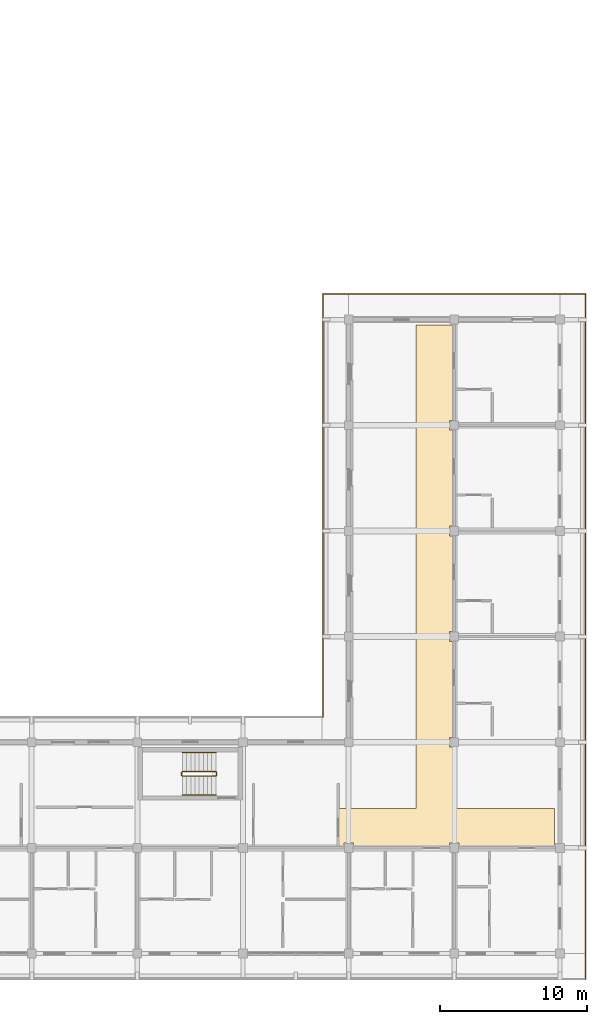
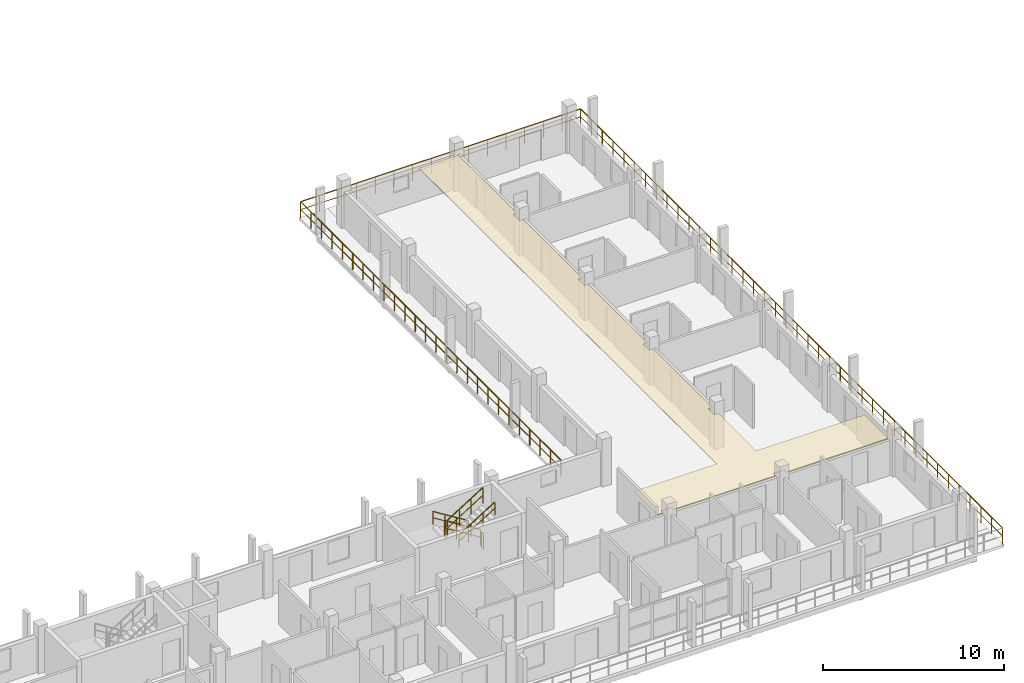
# One storey, part 72 of 76: 9 railings, 1 covering.
"""IFC4 building model written with IfcOpenShell, lengths in metres."""

from ifc_helpers import new_model, si_unit, direction, frame, origin, origin_2d, place, context, subcontext, project, spatial, polyline, rectangle, outline, extrude, material, layer, layer_set, type_object, element, save


model = new_model("IFC4")

# Units and contexts
model_context = context("Model", 3, precision=1e-05, world=origin(), true_north=direction((0.0, 1.0)))
body_context = subcontext(model_context, "Body", "Model", "MODEL_VIEW")
ifc_project = project(units=[si_unit("LENGTHUNIT", "METRE"), si_unit("AREAUNIT", "SQUARE_METRE"), si_unit("VOLUMEUNIT", "CUBIC_METRE"), si_unit("PLANEANGLEUNIT", "RADIAN"), si_unit("MASSUNIT", "GRAM", prefix="KILO")], contexts=[model_context])

# Site, building, storey
site_placement = place(None, origin())
site = spatial("IfcSite", under=ifc_project, at=site_placement, CompositionType="ELEMENT")
building_placement = place(site_placement, origin())
building = spatial("IfcBuilding", under=site, at=building_placement, Name="Suanplinth Sawtooth Commons", CompositionType="ELEMENT")
storey_placement = place(building_placement, frame((0.0, 0.0, 12.199951171875)))
storey = spatial("IfcBuildingStorey", under=building, at=storey_placement, Name="L03", CompositionType="ELEMENT", Elevation=12.199951171875)

# Covering
ifc_material_1 = material(Name="Mineral fibre acoustic tile")
ifc_layer = layer(ifc_material_1, 0.0400390625, Name="Perforated mineral-fibre acoustic suspended ceiling")
ifc_layer_set = layer_set([ifc_layer], Name="Mineral fibre acoustic tile")
covering_type = type_object("IfcCoveringType", Name="CV-CE01", PredefinedType="CEILING", material=ifc_layer_set)
covering_placement = place(storey_placement, frame((0.0, 0.0, 2.380126953125)))
element("IfcCovering", 1, at=covering_placement, inside=storey, type_object=covering_type, Name="L03 Block C Corridor Acoustic Ceiling", PredefinedType="CEILING", context=body_context, shape_type="SweptSolid", body=[
    extrude(outline(polyline([(172.1201171875, 9.89990234375), (177.39990234375, 9.89990234375), (177.39990234375, 42.840087890625), (179.919921875, 42.840087890625), (179.919921875, 36.330078125), (179.669921875, 36.330078125), (179.669921875, 35.669921875), (179.919921875, 35.669921875), (179.919921875, 29.1298828125), (179.669921875, 29.1298828125), (179.669921875, 28.469970703125), (179.919921875, 28.469970703125), (179.919921875, 21.929931640625), (179.669921875, 21.929931640625), (179.669921875, 21.27001953125), (179.919921875, 21.27001953125), (179.919921875, 14.72998046875), (179.669921875, 14.72998046875), (179.669921875, 14.070068359375), (179.919921875, 14.070068359375), (179.919921875, 9.89990234375), (186.840087890625, 9.89990234375), (186.840087890625, 7.280029296875), (180.330078125, 7.280029296875), (180.330078125, 7.530029296875), (179.669921875, 7.530029296875), (179.669921875, 7.280029296875), (173.1298828125, 7.280029296875), (173.1298828125, 7.530029296875), (172.469970703125, 7.530029296875), (172.469970703125, 7.280029296875), (172.1201171875, 7.280029296875), (172.1201171875, 9.89990234375)])), origin(), (0.0, 0.0, 1.0), 0.0400390625),
])

# Railings
ifc_material_2 = material(Name="Powder-coated galvanized steel", Category="steel")
railing_type_1 = type_object("IfcRailingType", Name="GR-01", PredefinedType="BALUSTRADE", material=ifc_material_2)
railing_1_placement = place(storey_placement, frame((171.06005859375, 16.139892578125, 0.0)))
element("IfcRailing", 2, at=railing_1_placement, inside=storey, type_object=railing_type_1, Name="L03 Block C Perimeter Balustrade 3", PredefinedType="BALUSTRADE", context=body_context, shape_type="SweptSolid", body=[
    extrude(rectangle(XDim=0.048095703125, YDim=0.048095703125, at=origin_2d()), frame((0.0, 0.0, 1.09619140625), z_axis=(0.0, 1.0, 0.0), x_axis=(-1.0, 0.0, 0.0)), (0.0, 0.0, 1.0), 28.800048828125),
    extrude(rectangle(XDim=0.03369140625, YDim=0.03369140625, at=origin_2d()), frame((0.0, 0.0, 0.56005859375), z_axis=(0.0, 1.0, 0.0), x_axis=(-1.0, 0.0, 0.0)), (0.0, 0.0, 1.0), 28.800048828125),
    extrude(rectangle(XDim=0.0419921875, YDim=0.0419921875, at=origin_2d()), origin(), (0.0, 0.0, 1.0), 1.072021484375),
    extrude(rectangle(XDim=0.0419921875, YDim=0.0419921875, at=origin_2d()), frame((0.0, 1.152099609375, 0.0)), (0.0, 0.0, 1.0), 1.072021484375),
    extrude(rectangle(XDim=0.0419921875, YDim=0.0419921875, at=origin_2d()), frame((0.0, 2.303955078125, 0.0)), (0.0, 0.0, 1.0), 1.072021484375),
    extrude(rectangle(XDim=0.0419921875, YDim=0.0419921875, at=origin_2d()), frame((0.0, 3.4560546875, 0.0)), (0.0, 0.0, 1.0), 1.072021484375),
    extrude(rectangle(XDim=0.0419921875, YDim=0.0419921875, at=origin_2d()), frame((0.0, 4.60791015625, 0.0)), (0.0, 0.0, 1.0), 1.072021484375),
    extrude(rectangle(XDim=0.0419921875, YDim=0.0419921875, at=origin_2d()), frame((0.0, 5.760009765625, 0.0)), (0.0, 0.0, 1.0), 1.072021484375),
    extrude(rectangle(XDim=0.0419921875, YDim=0.0419921875, at=origin_2d()), frame((0.0, 6.912109375, 0.0)), (0.0, 0.0, 1.0), 1.072021484375),
    extrude(rectangle(XDim=0.0419921875, YDim=0.0419921875, at=origin_2d()), frame((0.0, 8.06396484375, 0.0)), (0.0, 0.0, 1.0), 1.072021484375),
    extrude(rectangle(XDim=0.0419921875, YDim=0.0419921875, at=origin_2d()), frame((0.0, 9.216064453125, 0.0)), (0.0, 0.0, 1.0), 1.072021484375),
    extrude(rectangle(XDim=0.0419921875, YDim=0.0419921875, at=origin_2d()), frame((0.0, 10.367919921875, 0.0)), (0.0, 0.0, 1.0), 1.072021484375),
    extrude(rectangle(XDim=0.0419921875, YDim=0.0419921875, at=origin_2d()), frame((0.0, 11.52001953125, 0.0)), (0.0, 0.0, 1.0), 1.072021484375),
    extrude(rectangle(XDim=0.0419921875, YDim=0.0419921875, at=origin_2d()), frame((0.0, 12.672119140625, 0.0)), (0.0, 0.0, 1.0), 1.072021484375),
    extrude(rectangle(XDim=0.0419921875, YDim=0.0419921875, at=origin_2d()), frame((0.0, 13.823974609375, 0.0)), (0.0, 0.0, 1.0), 1.072021484375),
    extrude(rectangle(XDim=0.0419921875, YDim=0.0419921875, at=origin_2d()), frame((0.0, 14.97607421875, 0.0)), (0.0, 0.0, 1.0), 1.072021484375),
    extrude(rectangle(XDim=0.0419921875, YDim=0.0419921875, at=origin_2d()), frame((0.0, 16.1279296875, 0.0)), (0.0, 0.0, 1.0), 1.072021484375),
    extrude(rectangle(XDim=0.0419921875, YDim=0.0419921875, at=origin_2d()), frame((0.0, 17.280029296875, 0.0)), (0.0, 0.0, 1.0), 1.072021484375),
    extrude(rectangle(XDim=0.0419921875, YDim=0.0419921875, at=origin_2d()), frame((0.0, 18.43212890625, 0.0)), (0.0, 0.0, 1.0), 1.072021484375),
    extrude(rectangle(XDim=0.0419921875, YDim=0.0419921875, at=origin_2d()), frame((0.0, 19.583984375, 0.0)), (0.0, 0.0, 1.0), 1.072021484375),
    extrude(rectangle(XDim=0.0419921875, YDim=0.0419921875, at=origin_2d()), frame((0.0, 20.736083984375, 0.0)), (0.0, 0.0, 1.0), 1.072021484375),
    extrude(rectangle(XDim=0.0419921875, YDim=0.0419921875, at=origin_2d()), frame((0.0, 21.887939453125, 0.0)), (0.0, 0.0, 1.0), 1.072021484375),
    extrude(rectangle(XDim=0.0419921875, YDim=0.0419921875, at=origin_2d()), frame((0.0, 23.0400390625, 0.0)), (0.0, 0.0, 1.0), 1.072021484375),
    extrude(rectangle(XDim=0.0419921875, YDim=0.0419921875, at=origin_2d()), frame((0.0, 24.192138671875, 0.0)), (0.0, 0.0, 1.0), 1.072021484375),
    extrude(rectangle(XDim=0.0419921875, YDim=0.0419921875, at=origin_2d()), frame((0.0, 25.343994140625, 0.0)), (0.0, 0.0, 1.0), 1.072021484375),
    extrude(rectangle(XDim=0.0419921875, YDim=0.0419921875, at=origin_2d()), frame((0.0, 26.49609375, 0.0)), (0.0, 0.0, 1.0), 1.072021484375),
    extrude(rectangle(XDim=0.0419921875, YDim=0.0419921875, at=origin_2d()), frame((0.0, 27.64794921875, 0.0)), (0.0, 0.0, 1.0), 1.072021484375),
    extrude(rectangle(XDim=0.0419921875, YDim=0.0419921875, at=origin_2d()), frame((0.0, 28.800048828125, 0.0)), (0.0, 0.0, 1.0), 1.072021484375),
])
railing_2_placement = place(storey_placement, frame((171.06005859375, 44.93994140625, 0.0)))
element("IfcRailing", 3, at=railing_2_placement, inside=storey, type_object=railing_type_1, Name="L03 Block C Perimeter Balustrade 4", PredefinedType="BALUSTRADE", context=body_context, shape_type="SweptSolid", body=[
    extrude(rectangle(XDim=0.048095703125, YDim=0.048095703125, at=origin_2d()), frame((0.0, 0.0, 1.09619140625), z_axis=(1.0, 0.0, 0.0), x_axis=(0.0, 1.0, 0.0)), (0.0, 0.0, 1.0), 17.8798828125),
    extrude(rectangle(XDim=0.03369140625, YDim=0.03369140625, at=origin_2d()), frame((0.0, 0.0, 0.56005859375), z_axis=(1.0, 0.0, 0.0), x_axis=(0.0, 1.0, 0.0)), (0.0, 0.0, 1.0), 17.8798828125),
    extrude(rectangle(XDim=0.0419921875, YDim=0.0419921875, at=origin_2d()), origin(), (0.0, 0.0, 1.0), 1.072021484375),
    extrude(rectangle(XDim=0.0419921875, YDim=0.0419921875, at=origin_2d()), frame((1.19189453125, 0.0, 0.0)), (0.0, 0.0, 1.0), 1.072021484375),
    extrude(rectangle(XDim=0.0419921875, YDim=0.0419921875, at=origin_2d()), frame((2.384033203125, 0.0, 0.0)), (0.0, 0.0, 1.0), 1.072021484375),
    extrude(rectangle(XDim=0.0419921875, YDim=0.0419921875, at=origin_2d()), frame((3.575927734375, 0.0, 0.0)), (0.0, 0.0, 1.0), 1.072021484375),
    extrude(rectangle(XDim=0.0419921875, YDim=0.0419921875, at=origin_2d()), frame((4.76806640625, 0.0, 0.0)), (0.0, 0.0, 1.0), 1.072021484375),
    extrude(rectangle(XDim=0.0419921875, YDim=0.0419921875, at=origin_2d()), frame((5.9599609375, 0.0, 0.0)), (0.0, 0.0, 1.0), 1.072021484375),
    extrude(rectangle(XDim=0.0419921875, YDim=0.0419921875, at=origin_2d()), frame((7.15185546875, 0.0, 0.0)), (0.0, 0.0, 1.0), 1.072021484375),
    extrude(rectangle(XDim=0.0419921875, YDim=0.0419921875, at=origin_2d()), frame((8.343994140625, 0.0, 0.0)), (0.0, 0.0, 1.0), 1.072021484375),
    extrude(rectangle(XDim=0.0419921875, YDim=0.0419921875, at=origin_2d()), frame((9.535888671875, 0.0, 0.0)), (0.0, 0.0, 1.0), 1.072021484375),
    extrude(rectangle(XDim=0.0419921875, YDim=0.0419921875, at=origin_2d()), frame((10.72802734375, 0.0, 0.0)), (0.0, 0.0, 1.0), 1.072021484375),
    extrude(rectangle(XDim=0.0419921875, YDim=0.0419921875, at=origin_2d()), frame((11.919921875, 0.0, 0.0)), (0.0, 0.0, 1.0), 1.072021484375),
    extrude(rectangle(XDim=0.0419921875, YDim=0.0419921875, at=origin_2d()), frame((13.11181640625, 0.0, 0.0)), (0.0, 0.0, 1.0), 1.072021484375),
    extrude(rectangle(XDim=0.0419921875, YDim=0.0419921875, at=origin_2d()), frame((14.303955078125, 0.0, 0.0)), (0.0, 0.0, 1.0), 1.072021484375),
    extrude(rectangle(XDim=0.0419921875, YDim=0.0419921875, at=origin_2d()), frame((15.495849609375, 0.0, 0.0)), (0.0, 0.0, 1.0), 1.072021484375),
    extrude(rectangle(XDim=0.0419921875, YDim=0.0419921875, at=origin_2d()), frame((16.68798828125, 0.0, 0.0)), (0.0, 0.0, 1.0), 1.072021484375),
    extrude(rectangle(XDim=0.0419921875, YDim=0.0419921875, at=origin_2d()), frame((17.8798828125, 0.0, 0.0)), (0.0, 0.0, 1.0), 1.072021484375),
])
railing_3_placement = place(storey_placement, frame((188.93994140625, 44.93994140625, 0.0)))
element("IfcRailing", 4, at=railing_3_placement, inside=storey, type_object=railing_type_1, Name="L03 Block C Perimeter Balustrade 5", PredefinedType="BALUSTRADE", context=body_context, shape_type="SweptSolid", body=[
    extrude(rectangle(XDim=0.048095703125, YDim=0.048095703125, at=origin_2d()), frame((0.0, 0.0, 1.09619140625), z_axis=(0.0, -1.0, 0.0), x_axis=(1.0, 0.0, 0.0)), (0.0, 0.0, 1.0), 46.679931640625),
    extrude(rectangle(XDim=0.03369140625, YDim=0.03369140625, at=origin_2d()), frame((0.0, 0.0, 0.56005859375), z_axis=(0.0, -1.0, 0.0), x_axis=(1.0, 0.0, 0.0)), (0.0, 0.0, 1.0), 46.679931640625),
    extrude(rectangle(XDim=0.0419921875, YDim=0.0419921875, at=origin_2d()), origin(), (0.0, 0.0, 1.0), 1.072021484375),
    extrude(rectangle(XDim=0.0419921875, YDim=0.0419921875, at=origin_2d()), frame((0.0, -1.197021484375, 0.0)), (0.0, 0.0, 1.0), 1.072021484375),
    extrude(rectangle(XDim=0.0419921875, YDim=0.0419921875, at=origin_2d()), frame((0.0, -2.393798828125, 0.0)), (0.0, 0.0, 1.0), 1.072021484375),
    extrude(rectangle(XDim=0.0419921875, YDim=0.0419921875, at=origin_2d()), frame((0.0, -3.5908203125, 0.0)), (0.0, 0.0, 1.0), 1.072021484375),
    extrude(rectangle(XDim=0.0419921875, YDim=0.0419921875, at=origin_2d()), frame((0.0, -4.78759765625, 0.0)), (0.0, 0.0, 1.0), 1.072021484375),
    extrude(rectangle(XDim=0.0419921875, YDim=0.0419921875, at=origin_2d()), frame((0.0, -5.984619140625, 0.0)), (0.0, 0.0, 1.0), 1.072021484375),
    extrude(rectangle(XDim=0.0419921875, YDim=0.0419921875, at=origin_2d()), frame((0.0, -7.181640625, 0.0)), (0.0, 0.0, 1.0), 1.072021484375),
    extrude(rectangle(XDim=0.0419921875, YDim=0.0419921875, at=origin_2d()), frame((0.0, -8.37841796875, 0.0)), (0.0, 0.0, 1.0), 1.072021484375),
    extrude(rectangle(XDim=0.0419921875, YDim=0.0419921875, at=origin_2d()), frame((0.0, -9.575439453125, 0.0)), (0.0, 0.0, 1.0), 1.072021484375),
    extrude(rectangle(XDim=0.0419921875, YDim=0.0419921875, at=origin_2d()), frame((0.0, -10.772216796875, 0.0)), (0.0, 0.0, 1.0), 1.072021484375),
    extrude(rectangle(XDim=0.0419921875, YDim=0.0419921875, at=origin_2d()), frame((0.0, -11.96923828125, 0.0)), (0.0, 0.0, 1.0), 1.072021484375),
    extrude(rectangle(XDim=0.0419921875, YDim=0.0419921875, at=origin_2d()), frame((0.0, -13.166015625, 0.0)), (0.0, 0.0, 1.0), 1.072021484375),
    extrude(rectangle(XDim=0.0419921875, YDim=0.0419921875, at=origin_2d()), frame((0.0, -14.363037109375, 0.0)), (0.0, 0.0, 1.0), 1.072021484375),
    extrude(rectangle(XDim=0.0419921875, YDim=0.0419921875, at=origin_2d()), frame((0.0, -15.56005859375, 0.0)), (0.0, 0.0, 1.0), 1.072021484375),
    extrude(rectangle(XDim=0.0419921875, YDim=0.0419921875, at=origin_2d()), frame((0.0, -16.7568359375, 0.0)), (0.0, 0.0, 1.0), 1.072021484375),
    extrude(rectangle(XDim=0.0419921875, YDim=0.0419921875, at=origin_2d()), frame((0.0, -17.953857421875, 0.0)), (0.0, 0.0, 1.0), 1.072021484375),
    extrude(rectangle(XDim=0.0419921875, YDim=0.0419921875, at=origin_2d()), frame((0.0, -19.150634765625, 0.0)), (0.0, 0.0, 1.0), 1.072021484375),
    extrude(rectangle(XDim=0.0419921875, YDim=0.0419921875, at=origin_2d()), frame((0.0, -20.34765625, 0.0)), (0.0, 0.0, 1.0), 1.072021484375),
    extrude(rectangle(XDim=0.0419921875, YDim=0.0419921875, at=origin_2d()), frame((0.0, -21.544677734375, 0.0)), (0.0, 0.0, 1.0), 1.072021484375),
    extrude(rectangle(XDim=0.0419921875, YDim=0.0419921875, at=origin_2d()), frame((0.0, -22.741455078125, 0.0)), (0.0, 0.0, 1.0), 1.072021484375),
    extrude(rectangle(XDim=0.0419921875, YDim=0.0419921875, at=origin_2d()), frame((0.0, -23.9384765625, 0.0)), (0.0, 0.0, 1.0), 1.072021484375),
    extrude(rectangle(XDim=0.0419921875, YDim=0.0419921875, at=origin_2d()), frame((0.0, -25.13525390625, 0.0)), (0.0, 0.0, 1.0), 1.072021484375),
    extrude(rectangle(XDim=0.0419921875, YDim=0.0419921875, at=origin_2d()), frame((0.0, -26.332275390625, 0.0)), (0.0, 0.0, 1.0), 1.072021484375),
    extrude(rectangle(XDim=0.0419921875, YDim=0.0419921875, at=origin_2d()), frame((0.0, -27.529296875, 0.0)), (0.0, 0.0, 1.0), 1.072021484375),
    extrude(rectangle(XDim=0.0419921875, YDim=0.0419921875, at=origin_2d()), frame((0.0, -28.72607421875, 0.0)), (0.0, 0.0, 1.0), 1.072021484375),
    extrude(rectangle(XDim=0.0419921875, YDim=0.0419921875, at=origin_2d()), frame((0.0, -29.923095703125, 0.0)), (0.0, 0.0, 1.0), 1.072021484375),
    extrude(rectangle(XDim=0.0419921875, YDim=0.0419921875, at=origin_2d()), frame((0.0, -31.119873046875, 0.0)), (0.0, 0.0, 1.0), 1.072021484375),
    extrude(rectangle(XDim=0.0419921875, YDim=0.0419921875, at=origin_2d()), frame((0.0, -32.31689453125, 0.0)), (0.0, 0.0, 1.0), 1.072021484375),
    extrude(rectangle(XDim=0.0419921875, YDim=0.0419921875, at=origin_2d()), frame((0.0, -33.513916015625, 0.0)), (0.0, 0.0, 1.0), 1.072021484375),
    extrude(rectangle(XDim=0.0419921875, YDim=0.0419921875, at=origin_2d()), frame((0.0, -34.710693359375, 0.0)), (0.0, 0.0, 1.0), 1.072021484375),
    extrude(rectangle(XDim=0.0419921875, YDim=0.0419921875, at=origin_2d()), frame((0.0, -35.90771484375, 0.0)), (0.0, 0.0, 1.0), 1.072021484375),
    extrude(rectangle(XDim=0.0419921875, YDim=0.0419921875, at=origin_2d()), frame((0.0, -37.1044921875, 0.0)), (0.0, 0.0, 1.0), 1.072021484375),
    extrude(rectangle(XDim=0.0419921875, YDim=0.0419921875, at=origin_2d()), frame((0.0, -38.301513671875, 0.0)), (0.0, 0.0, 1.0), 1.072021484375),
    extrude(rectangle(XDim=0.0419921875, YDim=0.0419921875, at=origin_2d()), frame((0.0, -39.498291015625, 0.0)), (0.0, 0.0, 1.0), 1.072021484375),
    extrude(rectangle(XDim=0.0419921875, YDim=0.0419921875, at=origin_2d()), frame((0.0, -40.6953125, 0.0)), (0.0, 0.0, 1.0), 1.072021484375),
    extrude(rectangle(XDim=0.0419921875, YDim=0.0419921875, at=origin_2d()), frame((0.0, -41.892333984375, 0.0)), (0.0, 0.0, 1.0), 1.072021484375),
    extrude(rectangle(XDim=0.0419921875, YDim=0.0419921875, at=origin_2d()), frame((0.0, -43.089111328125, 0.0)), (0.0, 0.0, 1.0), 1.072021484375),
    extrude(rectangle(XDim=0.0419921875, YDim=0.0419921875, at=origin_2d()), frame((0.0, -44.2861328125, 0.0)), (0.0, 0.0, 1.0), 1.072021484375),
    extrude(rectangle(XDim=0.0419921875, YDim=0.0419921875, at=origin_2d()), frame((0.0, -45.48291015625, 0.0)), (0.0, 0.0, 1.0), 1.072021484375),
    extrude(rectangle(XDim=0.0419921875, YDim=0.0419921875, at=origin_2d()), frame((0.0, -46.679931640625, 0.0)), (0.0, 0.0, 1.0), 1.072021484375),
])
ifc_material_3 = material(Name="Stainless steel Grade 304", Category="steel")
railing_type_2 = type_object("IfcRailingType", Name="GR-04", PredefinedType="GUARDRAIL", material=ifc_material_3)
railing_4_placement = place(storey_placement, frame((163.75, 12.39990234375, 0.177734375)))
element("IfcRailing", 5, at=railing_4_placement, inside=storey, type_object=railing_type_2, Name="L03 ST-S2 Guard 1", PredefinedType="GUARDRAIL", context=body_context, shape_type="SweptSolid", body=[
    extrude(rectangle(XDim=0.048095703125, YDim=0.048095703125, at=origin_2d()), frame((0.0, 0.0, 1.076171875), z_axis=(-0.848442045328, 0.0, 0.529288291689), x_axis=(0.0, -1.0, 0.0)), (0.0, 0.0, 1.0), 2.687255859375),
    extrude(rectangle(XDim=0.03369140625, YDim=0.03369140625, at=origin_2d()), frame((0.0, 0.0, 0.550048828125), z_axis=(-0.848442045328, 0.0, 0.529288291689), x_axis=(0.0, -1.0, 0.0)), (0.0, 0.0, 1.0), 2.687255859375),
    extrude(rectangle(XDim=0.0419921875, YDim=0.0419921875, at=origin_2d()), origin(), (0.0, 0.0, 1.0), 1.052001953125),
    extrude(rectangle(XDim=0.0419921875, YDim=0.0419921875, at=origin_2d()), frame((-0.760009765625, 0.0, 0.47412109375)), (0.0, 0.0, 1.0), 1.052001953125),
    extrude(rectangle(XDim=0.0419921875, YDim=0.0419921875, at=origin_2d()), frame((-1.52001953125, 0.0, 0.9482421875)), (0.0, 0.0, 1.0), 1.052001953125),
    extrude(rectangle(XDim=0.0419921875, YDim=0.0419921875, at=origin_2d()), frame((-2.280029296875, 0.0, 1.42236328125)), (0.0, 0.0, 1.0), 1.052001953125),
])
railing_5_placement = place(storey_placement, frame((161.419921875, 12.35009765625, 1.60009765625)))
element("IfcRailing", 6, at=railing_5_placement, inside=storey, type_object=railing_type_2, Name="L03 ST-S2 Guard 2", PredefinedType="GUARDRAIL", context=body_context, shape_type="SweptSolid", body=[
    extrude(rectangle(XDim=0.048095703125, YDim=0.048095703125, at=origin_2d()), frame((0.0, 0.0, 1.076171875), z_axis=(0.0, -1.0, 0.0), x_axis=(1.0, 0.0, 0.0)), (0.0, 0.0, 1.0), 0.2001953125),
    extrude(rectangle(XDim=0.03369140625, YDim=0.03369140625, at=origin_2d()), frame((0.0, 0.0, 0.550048828125), z_axis=(0.0, -1.0, 0.0), x_axis=(1.0, 0.0, 0.0)), (0.0, 0.0, 1.0), 0.2001953125),
    extrude(rectangle(XDim=0.0419921875, YDim=0.0419921875, at=origin_2d()), origin(), (0.0, 0.0, 1.0), 1.052001953125),
    extrude(rectangle(XDim=0.0419921875, YDim=0.0419921875, at=origin_2d()), frame((0.0, -0.2001953125, 0.0)), (0.0, 0.0, 1.0), 1.052001953125),
])
railing_6_placement = place(storey_placement, frame((161.469970703125, 12.10009765625, 1.77783203125)))
element("IfcRailing", 7, at=railing_6_placement, inside=storey, type_object=railing_type_2, Name="L03 ST-S2 Guard 3", PredefinedType="GUARDRAIL", context=body_context, shape_type="SweptSolid", body=[
    extrude(rectangle(XDim=0.048095703125, YDim=0.048095703125, at=origin_2d()), frame((0.0, 0.0, 1.076171875), z_axis=(0.848482842525, 0.0, 0.529222888715), x_axis=(0.0, 1.0, 0.0)), (0.0, 0.0, 1.0), 2.687255859375),
    extrude(rectangle(XDim=0.03369140625, YDim=0.03369140625, at=origin_2d()), frame((0.0, 0.0, 0.550048828125), z_axis=(0.848482842525, 0.0, 0.529222888715), x_axis=(0.0, 1.0, 0.0)), (0.0, 0.0, 1.0), 2.687255859375),
    extrude(rectangle(XDim=0.0419921875, YDim=0.0419921875, at=origin_2d()), origin(), (0.0, 0.0, 1.0), 1.052001953125),
    extrude(rectangle(XDim=0.0419921875, YDim=0.0419921875, at=origin_2d()), frame((0.760009765625, 0.0, 0.47412109375)), (0.0, 0.0, 1.0), 1.052001953125),
    extrude(rectangle(XDim=0.0419921875, YDim=0.0419921875, at=origin_2d()), frame((1.52001953125, 0.0, 0.947998046875)), (0.0, 0.0, 1.0), 1.052001953125),
    extrude(rectangle(XDim=0.0419921875, YDim=0.0419921875, at=origin_2d()), frame((2.280029296875, 0.0, 1.422119140625)), (0.0, 0.0, 1.0), 1.052001953125),
])
railing_7_placement = place(storey_placement, frame((163.800048828125, 12.35009765625, 0.0)))
element("IfcRailing", 8, at=railing_7_placement, inside=storey, type_object=railing_type_2, Name="L03 ST-S2 Guard 4", PredefinedType="GUARDRAIL", context=body_context, shape_type="SweptSolid", body=[
    extrude(rectangle(XDim=0.048095703125, YDim=0.048095703125, at=origin_2d()), frame((0.0, 0.0, 1.076171875), z_axis=(0.0, -1.0, 0.0), x_axis=(1.0, 0.0, 0.0)), (0.0, 0.0, 1.0), 0.2001953125),
    extrude(rectangle(XDim=0.03369140625, YDim=0.03369140625, at=origin_2d()), frame((0.0, 0.0, 0.550048828125), z_axis=(0.0, -1.0, 0.0), x_axis=(1.0, 0.0, 0.0)), (0.0, 0.0, 1.0), 0.2001953125),
    extrude(rectangle(XDim=0.0419921875, YDim=0.0419921875, at=origin_2d()), origin(), (0.0, 0.0, 1.0), 1.052001953125),
    extrude(rectangle(XDim=0.0419921875, YDim=0.0419921875, at=origin_2d()), frame((0.0, -0.2001953125, 0.0)), (0.0, 0.0, 1.0), 1.052001953125),
])
railing_type_3 = type_object("IfcRailingType", Name="HR-01", PredefinedType="HANDRAIL", material=ifc_material_3)
railing_8_placement = place(storey_placement, frame((163.75, 13.699951171875, 0.177734375)))
element("IfcRailing", 9, at=railing_8_placement, inside=storey, type_object=railing_type_3, Name="L03 ST-S2 Handrail 1", PredefinedType="HANDRAIL", context=body_context, shape_type="SweptSolid", body=[
    extrude(rectangle(XDim=0.048095703125, YDim=0.048095703125, at=origin_2d()), frame((0.0, 0.0, 0.8759765625), z_axis=(-0.848442045328, 0.0, 0.529288291689), x_axis=(0.0, -1.0, 0.0)), (0.0, 0.0, 1.0), 2.687255859375),
    extrude(rectangle(XDim=0.03369140625, YDim=0.03369140625, at=origin_2d()), frame((0.0, 0.0, 0.449951171875), z_axis=(-0.848442045328, 0.0, 0.529288291689), x_axis=(0.0, -1.0, 0.0)), (0.0, 0.0, 1.0), 2.687255859375),
    extrude(rectangle(XDim=0.0419921875, YDim=0.0419921875, at=origin_2d()), origin(), (0.0, 0.0, 1.0), 0.851806640625),
    extrude(rectangle(XDim=0.0419921875, YDim=0.0419921875, at=origin_2d()), frame((-0.760009765625, 0.0, 0.47412109375)), (0.0, 0.0, 1.0), 0.851806640625),
    extrude(rectangle(XDim=0.0419921875, YDim=0.0419921875, at=origin_2d()), frame((-1.52001953125, 0.0, 0.9482421875)), (0.0, 0.0, 1.0), 0.851806640625),
    extrude(rectangle(XDim=0.0419921875, YDim=0.0419921875, at=origin_2d()), frame((-2.280029296875, 0.0, 1.42236328125)), (0.0, 0.0, 1.0), 0.851806640625),
])
railing_9_placement = place(storey_placement, frame((161.469970703125, 10.800048828125, 1.77783203125)))
element("IfcRailing", 10, at=railing_9_placement, inside=storey, type_object=railing_type_3, Name="L03 ST-S2 Handrail 2", PredefinedType="HANDRAIL", context=body_context, shape_type="SweptSolid", body=[
    extrude(rectangle(XDim=0.048095703125, YDim=0.048095703125, at=origin_2d()), frame((0.0, 0.0, 0.8759765625), z_axis=(0.848482842525, 0.0, 0.529222888715), x_axis=(0.0, 1.0, 0.0)), (0.0, 0.0, 1.0), 2.687255859375),
    extrude(rectangle(XDim=0.03369140625, YDim=0.03369140625, at=origin_2d()), frame((0.0, 0.0, 0.449951171875), z_axis=(0.848482842525, 0.0, 0.529222888715), x_axis=(0.0, 1.0, 0.0)), (0.0, 0.0, 1.0), 2.687255859375),
    extrude(rectangle(XDim=0.0419921875, YDim=0.0419921875, at=origin_2d()), origin(), (0.0, 0.0, 1.0), 0.851806640625),
    extrude(rectangle(XDim=0.0419921875, YDim=0.0419921875, at=origin_2d()), frame((0.760009765625, 0.0, 0.47412109375)), (0.0, 0.0, 1.0), 0.851806640625),
    extrude(rectangle(XDim=0.0419921875, YDim=0.0419921875, at=origin_2d()), frame((1.52001953125, 0.0, 0.947998046875)), (0.0, 0.0, 1.0), 0.851806640625),
    extrude(rectangle(XDim=0.0419921875, YDim=0.0419921875, at=origin_2d()), frame((2.280029296875, 0.0, 1.422119140625)), (0.0, 0.0, 1.0), 0.851806640625),
])

save(model, "model.ifc")
